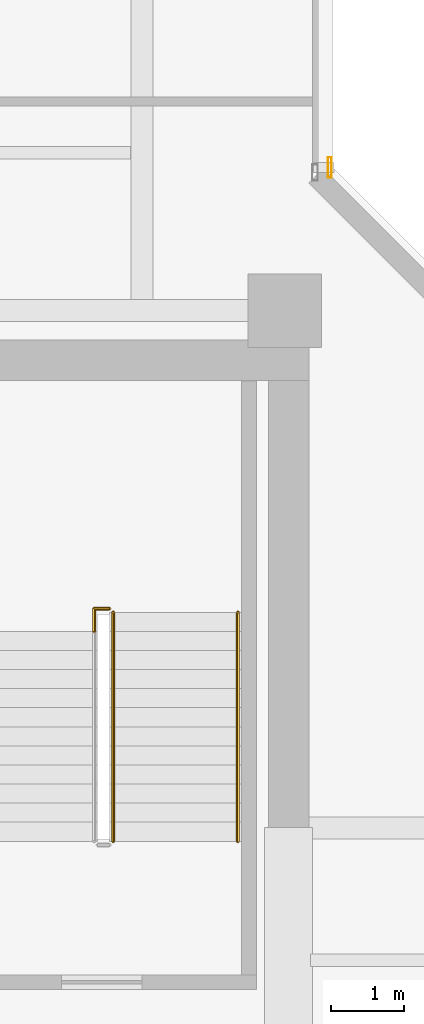
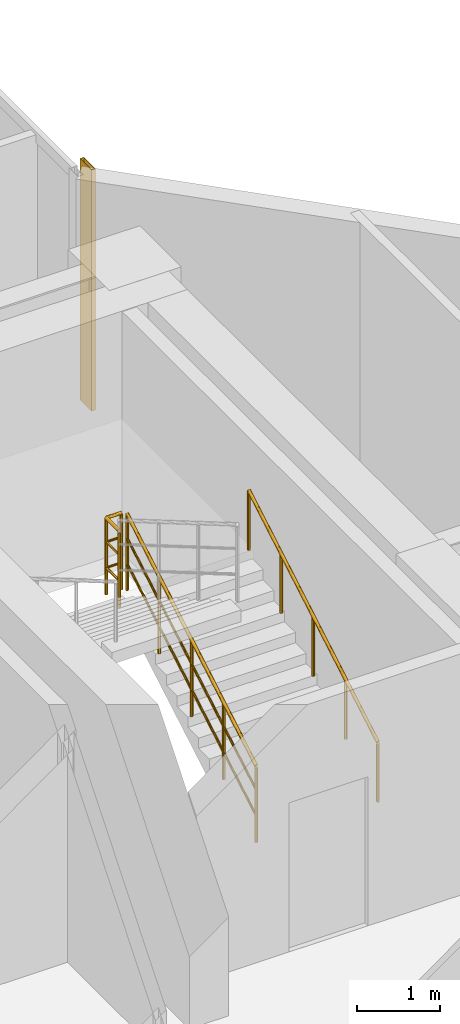
# One storey, part 21 of 23: 3 railings, 1 shading device.
"""IFC4 building model written with IfcOpenShell, lengths in metres."""

import ifcopenshell
import ifcopenshell.guid

model = None  # the IFC model being written
_history = None  # IfcOwnerHistory: only IFC2X3 demands one
_inside = {}  # id of a spatial element -> (the spatial element, [elements in it])
_under = {}  # id of a project, library or spatial element -> (it, [spatial elements below it])
_declared = {}  # id of a project -> (the project, [libraries it declares])
_typed = {}  # id of a type object -> (the type object, [elements of that type])
_made_of = {}  # id of a material, layer set ... -> (it, [elements and type objects made of it])


def new_model(schema):
    """Start an empty IFC model of exactly this schema.

    Asked for "IFC4X3", IfcOpenShell would pick the latest addendum, in which some entities
    have other attributes; the version numbers below select the first issue.
    IFC2X3 requires an IfcOwnerHistory on every rooted entity: one is made here for all.
    """
    global model, _history
    if schema == "IFC4X3":
        model = ifcopenshell.file(schema_version=(4, 3, 0, 0))
    else:
        model = ifcopenshell.file(schema=schema)
    _inside.clear()
    _under.clear()
    _declared.clear()
    _typed.clear()
    _made_of.clear()
    _history = None
    if model.schema == "IFC2X3":
        org = make("IfcOrganization", Name="unknown")
        user = make(
            "IfcPersonAndOrganization",
            ThePerson=make("IfcPerson", FamilyName="unknown"),
            TheOrganization=org,
        )
        app = make(
            "IfcApplication",
            ApplicationDeveloper=org,
            Version="unknown",
            ApplicationFullName="unknown",
            ApplicationIdentifier="unknown",
        )
        _history = make(
            "IfcOwnerHistory",
            OwningUser=user,
            OwningApplication=app,
            ChangeAction="ADDED",
            CreationDate=0,
        )
    return model


def make(cls, **values):
    """One entity of the class cls with the attributes given. An attribute that is None is left unset."""
    return model.create_entity(
        cls, **{name: value for name, value in values.items() if value is not None}
    )


def rooted(cls, **values):
    """An entity with a GlobalId (a new one), such as an element, a storey or a relation."""
    return make(cls, GlobalId=ifcopenshell.guid.new(), OwnerHistory=_history, **values)


def si_unit(unit_type, name, prefix=None):
    """IfcSIUnit, for example si_unit("LENGTHUNIT", "METRE", prefix="MILLI")."""
    return make("IfcSIUnit", UnitType=unit_type, Prefix=prefix, Name=name)


def assignment(units):
    """IfcUnitAssignment: the units of a project."""
    return None if units is None else make("IfcUnitAssignment", Units=units)


def point(xyz):
    """IfcCartesianPoint."""
    return None if xyz is None else make("IfcCartesianPoint", Coordinates=xyz)


def direction(xyz):
    """IfcDirection."""
    return None if xyz is None else make("IfcDirection", DirectionRatios=xyz)


def frame(location, z_axis=None, x_axis=None):
    """IfcAxis2Placement3D, a coordinate frame: its origin and axes. An axis left out is left unset."""
    return make(
        "IfcAxis2Placement3D",
        Location=point(location),
        Axis=direction(z_axis),
        RefDirection=direction(x_axis),
    )


def frame_2d(location, x_axis=None):
    """IfcAxis2Placement2D, a coordinate frame in the plane: its origin and x axis."""
    return make(
        "IfcAxis2Placement2D", Location=point(location), RefDirection=direction(x_axis)
    )


def origin():
    """The frame at (0, 0, 0) with its axes left unset."""
    return frame((0.0, 0.0, 0.0))


def origin_2d():
    """The frame at (0, 0) in the plane with its x axis left unset."""
    return frame_2d((0.0, 0.0))


def place(relative_to, where):
    """IfcLocalPlacement: puts the frame where relative to a parent placement (None: the world)."""
    return make(
        "IfcLocalPlacement", PlacementRelTo=relative_to, RelativePlacement=where
    )


def context(
    kind, dimensions, precision=None, world=None, true_north=None, identifier=None
):
    """IfcGeometricRepresentationContext, for example the 3D "Model" context."""
    return make(
        "IfcGeometricRepresentationContext",
        ContextIdentifier=identifier,
        ContextType=kind,
        CoordinateSpaceDimension=dimensions,
        Precision=precision,
        WorldCoordinateSystem=world,
        TrueNorth=true_north,
    )


def subcontext(parent, identifier, kind, view, scale=None):
    """IfcGeometricRepresentationSubContext, for example "Body" below "Model"."""
    return make(
        "IfcGeometricRepresentationSubContext",
        ContextIdentifier=identifier,
        ContextType=kind,
        ParentContext=parent,
        TargetScale=scale,
        TargetView=view,
    )


def project(units=None, contexts=None):
    """IfcProject with its units and contexts."""
    return rooted(
        "IfcProject",
        Name="project",
        RepresentationContexts=contexts,
        UnitsInContext=assignment(units),
    )


def spatial(cls, under=None, at=None, **own):
    """A site, building, storey or space (cls), placed at a placement, below another one or the project."""
    s = rooted(cls, ObjectPlacement=at, **own)
    if under is not None:
        _under.setdefault(under.id(), (under, []))[1].append(s)
    return s


def profile(cls, at=None, kind="AREA", **sizes):
    """A parametric profile (cls). Its sizes go by their IFC names, for example OverallWidth=200.0."""
    return make(cls, ProfileType=kind, Position=at, **sizes)


def hollow_rectangle(**sizes):
    """IfcRectangleHollowProfileDef."""
    return profile("IfcRectangleHollowProfileDef", **sizes)


def circle(**sizes):
    """IfcCircleProfileDef."""
    return profile("IfcCircleProfileDef", **sizes)


def extrude(swept, where, along, depth):
    """IfcExtrudedAreaSolid: the profile swept, set in the frame where, extruded along a direction by depth."""
    return make(
        "IfcExtrudedAreaSolid",
        SweptArea=swept,
        Position=where,
        ExtrudedDirection=direction(along),
        Depth=depth,
    )


def shape(context_of_items, identifier, shape_type, items):
    """IfcShapeRepresentation: the items that make up one representation, for example the "Body"."""
    return make(
        "IfcShapeRepresentation",
        ContextOfItems=context_of_items,
        RepresentationIdentifier=identifier,
        RepresentationType=shape_type,
        Items=items,
    )


def material(Name=None, Category=None):
    """IfcMaterial."""
    return make("IfcMaterial", Name=Name, Category=Category)


def material_profile(
    of_material, cross_section, Name=None, Category=None, Priority=None
):
    """IfcMaterialProfile: a cross section and its material."""
    return make(
        "IfcMaterialProfile",
        Name=Name,
        Material=of_material,
        Profile=cross_section,
        Priority=Priority,
        Category=Category,
    )


def profile_set(profiles, Name=None, composite=None):
    """IfcMaterialProfileSet."""
    return make(
        "IfcMaterialProfileSet",
        Name=Name,
        MaterialProfiles=profiles,
        CompositeProfile=composite,
    )


def made_of(thing, what):
    """Note that an element or type object is made of a material, layer set ...; save() writes the relation."""
    if what is not None:
        _made_of.setdefault(what.id(), (what, []))[1].append(thing)
    return thing


def type_object(cls, material=None, **own):
    """A type object (cls), such as IfcWallType, which elements share."""
    return made_of(rooted(cls, **own), material)


def element(
    cls,
    number,
    at=None,
    inside=None,
    cuts=None,
    type_object=None,
    material=None,
    context=None,
    identifier="Body",
    shape_type=None,
    held_by="IfcProductDefinitionShape",
    body=None,
    shapes=None,
    **own,
):
    """One element of the class cls, such as IfcWall. Its Tag is "e" and its number.

    at: its placement. inside: the storey or other place that contains it. cuts: it is an
    opening in that element (IfcRelVoidsElement). A single representation is given by context,
    identifier, shape_type and body (its items); several are given by shapes. held_by: the class
    of the entity that holds the representations. save() writes the other relations.
    """
    e = rooted(cls, Tag="e%d" % number, ObjectPlacement=at, **own)
    if body is not None:
        shapes = [shape(context, identifier, shape_type, body)]
    if shapes is not None:
        e.Representation = make(held_by, Representations=shapes)
    if inside is not None:
        _inside.setdefault(inside.id(), (inside, []))[1].append(e)
    if cuts is not None:
        rooted(
            "IfcRelVoidsElement", RelatingBuildingElement=cuts, RelatedOpeningElement=e
        )
    if type_object is not None:
        _typed.setdefault(type_object.id(), (type_object, []))[1].append(e)
    return made_of(e, material)


def aggregate(whole, parts):
    """IfcRelAggregates: a whole, such as a stair, and the parts it consists of."""
    return rooted("IfcRelAggregates", RelatingObject=whole, RelatedObjects=parts)


def save(model, path):
    """Write the relations noted so far, then the file.

    IfcRelAggregates (storeys below a building ...), IfcRelContainedInSpatialStructure (elements
    in a storey), IfcRelDefinesByType, IfcRelAssociatesMaterial and IfcRelDeclares: one each for
    every whole, place, type object, material and project.
    """
    for whole, parts in _under.values():
        aggregate(whole, parts)
    for where, things in _inside.values():
        rooted(
            "IfcRelContainedInSpatialStructure",
            RelatedElements=things,
            RelatingStructure=where,
        )
    for kind, things in _typed.values():
        rooted("IfcRelDefinesByType", RelatedObjects=things, RelatingType=kind)
    for what, things in _made_of.values():
        rooted("IfcRelAssociatesMaterial", RelatedObjects=things, RelatingMaterial=what)
    for by, libraries in _declared.values():
        rooted("IfcRelDeclares", RelatingContext=by, RelatedDefinitions=libraries)
    model.write(path)


model = new_model("IFC4")

# Units and contexts
model_context = context("Model", 3, precision=1e-05, world=origin(), true_north=direction((0.0, 1.0)))
body_context = subcontext(model_context, "Body", "Model", "MODEL_VIEW")
ifc_project = project(units=[si_unit("LENGTHUNIT", "METRE"), si_unit("AREAUNIT", "SQUARE_METRE"), si_unit("VOLUMEUNIT", "CUBIC_METRE"), si_unit("PLANEANGLEUNIT", "RADIAN"), si_unit("MASSUNIT", "GRAM", prefix="KILO")], contexts=[model_context])

# Site, building, storey
site_placement = place(None, origin())
site = spatial("IfcSite", under=ifc_project, at=site_placement, CompositionType="ELEMENT")
building_placement = place(site_placement, origin())
building = spatial("IfcBuilding", under=site, at=building_placement, Name="Kolvaren Waterfront Exchange", CompositionType="ELEMENT")
storey_placement = place(building_placement, frame((0.0, 0.0, 242.5)))
storey = spatial("IfcBuildingStorey", under=building, at=storey_placement, Name="L62", CompositionType="ELEMENT", Elevation=242.5)

# Shading device
ifc_material_1 = material(Name="Anodised bronze aluminium 6063-T6", Category="aluminium")
ifc_material_profile = material_profile(ifc_material_1, hollow_rectangle(XDim=0.054931640625, YDim=0.280029296875, WallThickness=0.00439453125, at=origin_2d()), Name="BRZ-FIN-280x55x4.5")
ifc_profile_set = profile_set([ifc_material_profile], Name="Anodised bronze aluminium 6063-T6")
shading_device_type = type_object("IfcShadingDeviceType", Name="ARC-FIN-280", PredefinedType="USERDEFINED", material=ifc_profile_set)
shading_device_placement = place(storey_placement, frame((21.360107421875, 26.39990234375, 0.0), z_axis=(0.0, 0.0, 1.0), x_axis=(1.0, 0.0, 0.0)))
element("IfcShadingDevice", 1, at=shading_device_placement, inside=storey, type_object=shading_device_type, Name="L62 anodised bronze solar shading fin FIN-L62-E2", ObjectType="SOLAR FIN", PredefinedType="USERDEFINED", context=body_context, shape_type="SweptSolid", body=[
    extrude(hollow_rectangle(XDim=0.054931640625, YDim=0.280029296875, WallThickness=0.00439453125, at=origin_2d()), origin(), (0.0, 0.0, 1.0), 3.56005859375),
])

# Railings
ifc_material_2 = material(Name="Stainless steel 316", Category="steel")
railing_type_1 = type_object("IfcRailingType", Name="ARC-GUARD-STAIR", PredefinedType="GUARDRAIL", material=ifc_material_2)
railing_1_placement = place(storey_placement, frame((18.409912109375, 17.219970703125, 0.152099609375)))
element("IfcRailing", 2, at=railing_1_placement, inside=storey, type_object=railing_type_1, Name="L62 ST2 stair guard 1", PredefinedType="GUARDRAIL", context=body_context, shape_type="SweptSolid", body=[
    extrude(circle(Radius=0.02392578125, at=origin_2d()), frame((0.0, 0.0, 1.1259765625), z_axis=(0.0, 0.86330811405, 0.504677223793), x_axis=(-1.0, 0.0, 0.0)), (0.0, 0.0, 1.0), 3.6142578125),
    extrude(circle(Radius=0.01611328125, at=origin_2d()), frame((0.0, 0.0, 0.390869140625), z_axis=(0.0, 0.86330811405, 0.504677223793), x_axis=(-1.0, 0.0, 0.0)), (0.0, 0.0, 1.0), 3.6142578125),
    extrude(circle(Radius=0.01611328125, at=origin_2d()), frame((0.0, 0.0, 0.7705078125), z_axis=(0.0, 0.86330811405, 0.504677223793), x_axis=(-1.0, 0.0, 0.0)), (0.0, 0.0, 1.0), 3.6142578125),
    extrude(circle(Radius=0.02099609375, at=origin_2d()), origin(), (0.0, 0.0, 1.0), 1.101806640625),
    extrude(circle(Radius=0.02099609375, at=origin_2d()), frame((0.0, 0.780029296875, 0.4560546875)), (0.0, 0.0, 1.0), 1.101806640625),
    extrude(circle(Radius=0.02099609375, at=origin_2d()), frame((0.0, 1.56005859375, 0.912109375)), (0.0, 0.0, 1.0), 1.101806640625),
    extrude(circle(Radius=0.02099609375, at=origin_2d()), frame((0.0, 2.340087890625, 1.367919921875)), (0.0, 0.0, 1.0), 1.101806640625),
    extrude(circle(Radius=0.02099609375, at=origin_2d()), frame((0.0, 3.1201171875, 1.823974609375)), (0.0, 0.0, 1.0), 1.101806640625),
])
railing_2_placement = place(storey_placement, frame((18.360107421875, 20.389892578125, 1.97607421875)))
element("IfcRailing", 3, at=railing_2_placement, inside=storey, type_object=railing_type_1, Name="L62 ST2 stair guard 2", PredefinedType="GUARDRAIL", context=body_context, shape_type="SweptSolid", body=[
    extrude(circle(Radius=0.02392578125, at=origin_2d()), frame((0.0, 0.0, 1.1259765625), z_axis=(-1.0, 0.0, 0.0), x_axis=(0.0, -1.0, 0.0)), (0.0, 0.0, 1.0), 0.210205078125),
    extrude(circle(Radius=0.01611328125, at=origin_2d()), frame((0.0, 0.0, 0.390869140625), z_axis=(-1.0, 0.0, 0.0), x_axis=(0.0, -1.0, 0.0)), (0.0, 0.0, 1.0), 0.210205078125),
    extrude(circle(Radius=0.01611328125, at=origin_2d()), frame((0.0, 0.0, 0.7705078125), z_axis=(-1.0, 0.0, 0.0), x_axis=(0.0, -1.0, 0.0)), (0.0, 0.0, 1.0), 0.210205078125),
    extrude(circle(Radius=0.02392578125, at=origin_2d()), frame((-0.210205078125, 0.0, 1.1259765625), z_axis=(0.0, -1.0, 0.0), x_axis=(1.0, 0.0, 0.0)), (0.0, 0.0, 1.0), 0.309814453125),
    extrude(circle(Radius=0.01611328125, at=origin_2d()), frame((-0.210205078125, 0.0, 0.390869140625), z_axis=(0.0, -1.0, 0.0), x_axis=(1.0, 0.0, 0.0)), (0.0, 0.0, 1.0), 0.309814453125),
    extrude(circle(Radius=0.01611328125, at=origin_2d()), frame((-0.210205078125, 0.0, 0.7705078125), z_axis=(0.0, -1.0, 0.0), x_axis=(1.0, 0.0, 0.0)), (0.0, 0.0, 1.0), 0.309814453125),
    extrude(circle(Radius=0.02099609375, at=origin_2d()), origin(), (0.0, 0.0, 1.0), 1.101806640625),
    extrude(circle(Radius=0.02099609375, at=origin_2d()), frame((-0.210205078125, 0.0, 0.0)), (0.0, 0.0, 1.0), 1.101806640625),
    extrude(circle(Radius=0.02099609375, at=origin_2d()), frame((-0.210205078125, -0.309814453125, 0.0)), (0.0, 0.0, 1.0), 1.101806640625),
])
railing_type_2 = type_object("IfcRailingType", Name="ARC-HANDRAIL-900", PredefinedType="HANDRAIL", material=ifc_material_2)
railing_3_placement = place(storey_placement, frame((20.110107421875, 17.219970703125, 0.152099609375)))
element("IfcRailing", 4, at=railing_3_placement, inside=storey, type_object=railing_type_2, Name="L62 ST2 stair handrail 1", PredefinedType="HANDRAIL", context=body_context, shape_type="SweptSolid", body=[
    extrude(circle(Radius=0.02392578125, at=origin_2d()), frame((0.0, 0.0, 0.8759765625), z_axis=(0.0, 0.86330811405, 0.504677223793), x_axis=(-1.0, 0.0, 0.0)), (0.0, 0.0, 1.0), 3.6142578125),
    extrude(circle(Radius=0.02099609375, at=origin_2d()), origin(), (0.0, 0.0, 1.0), 0.851806640625),
    extrude(circle(Radius=0.02099609375, at=origin_2d()), frame((0.0, 0.780029296875, 0.4560546875)), (0.0, 0.0, 1.0), 0.851806640625),
    extrude(circle(Radius=0.02099609375, at=origin_2d()), frame((0.0, 1.56005859375, 0.912109375)), (0.0, 0.0, 1.0), 0.851806640625),
    extrude(circle(Radius=0.02099609375, at=origin_2d()), frame((0.0, 2.340087890625, 1.367919921875)), (0.0, 0.0, 1.0), 0.851806640625),
    extrude(circle(Radius=0.02099609375, at=origin_2d()), frame((0.0, 3.1201171875, 1.823974609375)), (0.0, 0.0, 1.0), 0.851806640625),
])

save(model, "model.ifc")
